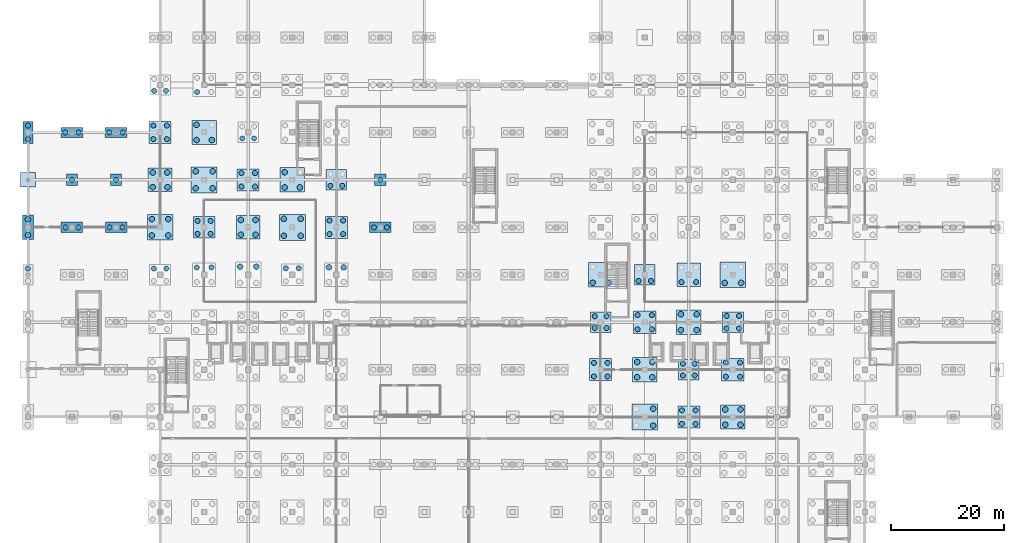
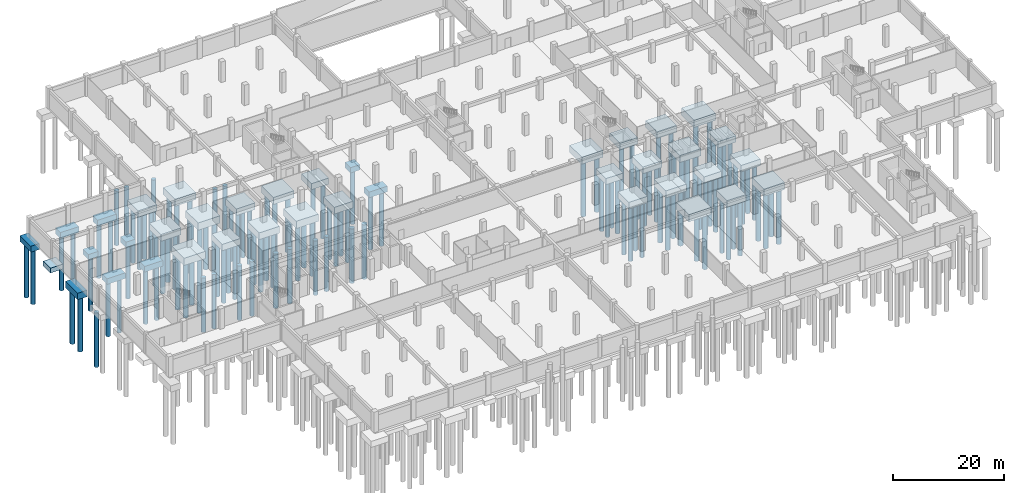
# One storey, part 4 of 30: 127 piles, 38 footings.
"""IFC4 building model written with IfcOpenShell, lengths in metres."""

from ifc_helpers import new_model, si_unit, direction, frame, origin, origin_2d, place, context, subcontext, project, spatial, rectangle, circle, extrude, material, layer, layer_set, material_profile, profile_set, type_object, element, save


model = new_model("IFC4")

# Units and contexts
model_context = context("Model", 3, precision=1e-05, world=origin(), true_north=direction((0.0, 1.0)))
body_context = subcontext(model_context, "Body", "Model", "MODEL_VIEW")
ifc_project = project(units=[si_unit("LENGTHUNIT", "METRE"), si_unit("AREAUNIT", "SQUARE_METRE"), si_unit("VOLUMEUNIT", "CUBIC_METRE"), si_unit("PLANEANGLEUNIT", "RADIAN"), si_unit("MASSUNIT", "GRAM", prefix="KILO"), si_unit("THERMODYNAMICTEMPERATUREUNIT", "KELVIN"), si_unit("POWERUNIT", "WATT")], contexts=[model_context])

# Site, building, storey
site_placement = place(None, origin())
site = spatial("IfcSite", under=ifc_project, at=site_placement, CompositionType="ELEMENT")
building_placement = place(site_placement, origin())
building = spatial("IfcBuilding", under=site, at=building_placement, Name="Srebrne Nadtorze General Hospital", CompositionType="ELEMENT")
storey_placement = place(building_placement, frame((0.0, 0.0, -4.5)))
storey = spatial("IfcBuildingStorey", under=building, at=storey_placement, Name="B1", CompositionType="ELEMENT", Elevation=-4.5)

# Piles
ifc_material_1 = material(Name="Concrete C35/45", Category="concrete")
ifc_material_profile_1 = material_profile(ifc_material_1, circle(Radius=0.5, at=origin_2d()), Name="PILE-D1000")
ifc_profile_set_1 = profile_set([ifc_material_profile_1], Name="Concrete C35/45")
pile_type_1 = type_object("IfcPileType", Name="Bored concrete pile D1000", PredefinedType="BORED", material=ifc_profile_set_1)
for number, where, z_axis, x_axis, name in (
    (1, (0.0, 65.800048828125, -2.0), (0.0, 0.0, -1.0), (1.0, 0.0, 0.0), "Bored pile PL-B1-0007"),
    (2, (0.0, 68.60009765625, -2.0), (0.0, 0.0, -1.0), (1.0, 0.0, 0.0), "Bored pile PL-B1-0008"),
    (3, (21.949951171875, 65.75, -2.199951171875), (0.0, 0.0, -1.0), (1.0, 0.0, 0.0), "Bored pile PL-B1-0067"),
    (4, (24.85009765625, 65.75, -2.199951171875), (0.0, 0.0, -1.0), (1.0, 0.0, 0.0), "Bored pile PL-B1-0068"),
    (5, (24.85009765625, 68.64990234375, -2.199951171875), (0.0, 0.0, -1.0), (1.0, 0.0, 0.0), "Bored pile PL-B1-0069"),
    (6, (21.949951171875, 68.64990234375, -2.199951171875), (0.0, 0.0, -1.0), (1.0, 0.0, 0.0), "Bored pile PL-B1-0070"),
    (7, (22.10009765625, 74.300048828125, -2.10009765625), (0.0, 0.0, -1.0), (1.0, 0.0, 0.0), "Bored pile PL-B1-0071"),
    (8, (24.699951171875, 74.300048828125, -2.10009765625), (0.0, 0.0, -1.0), (1.0, 0.0, 0.0), "Bored pile PL-B1-0072"),
    (9, (24.699951171875, 76.89990234375, -2.10009765625), (0.0, 0.0, -1.0), (1.0, 0.0, 0.0), "Bored pile PL-B1-0073"),
    (10, (22.10009765625, 76.89990234375, -2.10009765625), (0.0, 0.0, -1.0), (1.0, 0.0, 0.0), "Bored pile PL-B1-0074"),
    (11, (29.699951171875, 74.10009765625, -2.199951171875), (0.0, 0.0, -1.0), (1.0, 0.0, 0.0), "Bored pile PL-B1-0123"),
    (12, (32.699951171875, 74.10009765625, -2.199951171875), (0.0, 0.0, -1.0), (1.0, 0.0, 0.0), "Bored pile PL-B1-0124"),
    (13, (32.699951171875, 77.10009765625, -2.199951171875), (0.0, 0.0, -1.0), (1.0, 0.0, 0.0), "Bored pile PL-B1-0125"),
    (14, (29.699951171875, 77.10009765625, -2.199951171875), (0.0, 0.0, -1.0), (1.0, 0.0, 0.0), "Bored pile PL-B1-0126"),
    (15, (29.85009765625, 82.64990234375, -2.14990234375), (0.0, 0.0, -1.0), (1.0, 0.0, 0.0), "Bored pile PL-B1-0127"),
    (16, (32.550048828125, 82.64990234375, -2.14990234375), (0.0, 0.0, -1.0), (1.0, 0.0, 0.0), "Bored pile PL-B1-0128"),
    (17, (29.85009765625, 85.35009765625, -2.14990234375), (0.0, 0.0, -1.0), (1.0, 0.0, 0.0), "Bored pile PL-B1-0130"),
    (18, (40.449951171875, 60.25, -2.199951171875), (0.0, 0.0, -1.0), (1.0, 0.0, 0.0), "Bored pile PL-B1-0171"),
    (19, (37.550048828125, 60.25, -2.199951171875), (0.0, 0.0, -1.0), (1.0, 0.0, 0.0), "Bored pile PL-B1-0172"),
    (20, (37.699951171875, 65.89990234375, -2.10009765625), (0.0, 0.0, -1.0), (1.0, 0.0, 0.0), "Bored pile PL-B1-0173"),
    (21, (40.300048828125, 65.89990234375, -2.10009765625), (0.0, 0.0, -1.0), (1.0, 0.0, 0.0), "Bored pile PL-B1-0174"),
    (22, (40.300048828125, 68.5, -2.10009765625), (0.0, 0.0, -1.0), (1.0, 0.0, 0.0), "Bored pile PL-B1-0175"),
    (23, (37.699951171875, 68.5, -2.10009765625), (0.0, 0.0, -1.0), (1.0, 0.0, 0.0), "Bored pile PL-B1-0176"),
    (24, (45.300048828125, 65.699951171875, -2.199951171875), (0.0, 0.0, -1.0), (1.0, 0.0, 0.0), "Bored pile PL-B1-0223"),
    (25, (48.300048828125, 65.699951171875, -2.199951171875), (0.0, 0.0, -1.0), (1.0, 0.0, 0.0), "Bored pile PL-B1-0224"),
    (26, (48.300048828125, 68.699951171875, -2.199951171875), (0.0, 0.0, -1.0), (1.0, 0.0, 0.0), "Bored pile PL-B1-0225"),
    (27, (45.300048828125, 68.699951171875, -2.199951171875), (0.0, 0.0, -1.0), (1.0, 0.0, 0.0), "Bored pile PL-B1-0226"),
    (28, (45.449951171875, 74.25, -2.14990234375), (0.0, 0.0, -1.0), (1.0, 0.0, 0.0), "Bored pile PL-B1-0227"),
    (29, (48.14990234375, 74.25, -2.14990234375), (0.0, 0.0, -1.0), (1.0, 0.0, 0.0), "Bored pile PL-B1-0228"),
    (30, (45.449951171875, 76.949951171875, -2.14990234375), (0.0, 0.0, -1.0), (1.0, 0.0, 0.0), "Bored pile PL-B1-0230"),
    (31, (55.89990234375, 60.10009765625, -2.10009765625), (0.0, 0.0, -1.0), (1.0, 0.0, 0.0), "Bored pile PL-B1-0275"),
    (32, (53.300048828125, 60.10009765625, -2.10009765625), (0.0, 0.0, -1.0), (1.0, 0.0, 0.0), "Bored pile PL-B1-0276"),
    (33, (100.0, 57.39990234375, -2.14990234375), (0.0, 0.0, -1.0), (1.0, 0.0, 0.0), "Bored pile PL-B1-0440"),
    (34, (102.800048828125, 57.39990234375, -2.14990234375), (0.0, 0.0, -1.0), (1.0, 0.0, 0.0), "Bored pile PL-B1-0441"),
    (35, (110.699951171875, 32.10009765625, -2.199951171875), (0.0, 0.0, -1.0), (1.0, 0.0, 0.0), "Bored pile PL-B1-0481"),
    (36, (110.699951171875, 35.10009765625, -2.199951171875), (0.0, 0.0, -1.0), (1.0, 0.0, 0.0), "Bored pile PL-B1-0482"),
    (37, (107.85009765625, 40.64990234375, -2.14990234375), (0.0, 0.0, -1.0), (1.0, 0.0, 0.0), "Bored pile PL-B1-0484"),
    (38, (110.550048828125, 40.64990234375, -2.14990234375), (0.0, 0.0, -1.0), (1.0, 0.0, 0.0), "Bored pile PL-B1-0485"),
    (39, (110.550048828125, 43.35009765625, -2.14990234375), (0.0, 0.0, -1.0), (1.0, 0.0, 0.0), "Bored pile PL-B1-0486"),
    (40, (107.85009765625, 43.35009765625, -2.14990234375), (0.0, 0.0, -1.0), (1.0, 0.0, 0.0), "Bored pile PL-B1-0487"),
    (41, (115.60009765625, 49.0, -2.14990234375), (0.0, 0.0, -1.0), (1.0, 0.0, 0.0), "Bored pile PL-B1-0538"),
    (42, (118.39990234375, 49.0, -2.14990234375), (0.0, 0.0, -1.0), (1.0, 0.0, 0.0), "Bored pile PL-B1-0539"),
    (43, (118.39990234375, 51.800048828125, -2.14990234375), (0.0, 0.0, -1.0), (1.0, 0.0, 0.0), "Bored pile PL-B1-0540"),
    (44, (115.60009765625, 51.800048828125, -2.14990234375), (0.0, 0.0, -1.0), (1.0, 0.0, 0.0), "Bored pile PL-B1-0541"),
    (45, (123.449951171875, 32.25, -2.14990234375), (0.0, 0.0, -1.0), (1.0, 0.0, 0.0), "Bored pile PL-B1-0574"),
    (46, (126.14990234375, 32.25, -2.14990234375), (0.0, 0.0, -1.0), (1.0, 0.0, 0.0), "Bored pile PL-B1-0575"),
    (47, (126.14990234375, 34.949951171875, -2.14990234375), (0.0, 0.0, -1.0), (1.0, 0.0, 0.0), "Bored pile PL-B1-0576"),
    (48, (123.449951171875, 34.949951171875, -2.14990234375), (0.0, 0.0, -1.0), (1.0, 0.0, 0.0), "Bored pile PL-B1-0577"),
    (49, (123.35009765625, 57.35009765625, -2.199951171875), (0.0, 0.0, -1.0), (1.0, 0.0, 0.0), "Bored pile PL-B1-0586"),
    (50, (126.25, 57.35009765625, -2.199951171875), (0.0, 0.0, -1.0), (1.0, 0.0, 0.0), "Bored pile PL-B1-0587"),
):
    element("IfcPile", number, at=place(storey_placement, frame(where, z_axis=z_axis, x_axis=x_axis)), inside=storey, type_object=pile_type_1, Name=name, PredefinedType="BORED", context=body_context, shape_type="SweptSolid", body=[
        extrude(circle(Radius=0.5, at=origin_2d()), origin(), (0.0, 0.0, 1.0), 12.0),
    ])
ifc_material_2 = material(Name="Concrete C35/45", Category="concrete")
ifc_material_profile_2 = material_profile(ifc_material_2, circle(Radius=0.449951171875, at=origin_2d()), Name="PILE-D900")
ifc_profile_set_2 = profile_set([ifc_material_profile_2], Name="Concrete C35/45")
pile_type_2 = type_object("IfcPileType", Name="Bored concrete pile D900", PredefinedType="BORED", material=ifc_profile_set_2)
for number, where, z_axis, x_axis, name in (
    (51, (0.0, 59.89990234375, -1.85009765625), (0.0, 0.0, -1.0), (1.0, 0.0, 0.0), "Bored pile PL-B1-0006"),
    (52, (0.0, 82.800048828125, -1.89990234375), (0.0, 0.0, -1.0), (1.0, 0.0, 0.0), "Bored pile PL-B1-0009"),
    (53, (0.0, 85.199951171875, -1.89990234375), (0.0, 0.0, -1.0), (1.0, 0.0, 0.0), "Bored pile PL-B1-0010"),
    (54, (6.64990234375, 67.199951171875, -1.85009765625), (0.0, 0.0, -1.0), (1.0, 0.0, 0.0), "Bored pile PL-B1-0018"),
    (55, (8.949951171875, 67.199951171875, -1.85009765625), (0.0, 0.0, -1.0), (1.0, 0.0, 0.0), "Bored pile PL-B1-0019"),
    (56, (7.800048828125, 75.60009765625, -1.75), (0.0, 0.0, -1.0), (1.0, 0.0, 0.0), "Bored pile PL-B1-0020"),
    (57, (6.60009765625, 84.0, -1.89990234375), (0.0, 0.0, -1.0), (1.0, 0.0, 0.0), "Bored pile PL-B1-0021"),
    (58, (9.0, 84.0, -1.89990234375), (0.0, 0.0, -1.0), (1.0, 0.0, 0.0), "Bored pile PL-B1-0022"),
    (59, (14.449951171875, 67.199951171875, -1.85009765625), (0.0, 0.0, -1.0), (1.0, 0.0, 0.0), "Bored pile PL-B1-0030"),
    (60, (16.75, 67.199951171875, -1.85009765625), (0.0, 0.0, -1.0), (1.0, 0.0, 0.0), "Bored pile PL-B1-0031"),
    (61, (15.60009765625, 75.60009765625, -1.75), (0.0, 0.0, -1.0), (1.0, 0.0, 0.0), "Bored pile PL-B1-0032"),
    (62, (14.39990234375, 84.0, -1.89990234375), (0.0, 0.0, -1.0), (1.0, 0.0, 0.0), "Bored pile PL-B1-0033"),
    (63, (16.800048828125, 84.0, -1.89990234375), (0.0, 0.0, -1.0), (1.0, 0.0, 0.0), "Bored pile PL-B1-0034"),
    (64, (24.5, 59.89990234375, -2.0), (0.0, 0.0, -1.0), (1.0, 0.0, 0.0), "Bored pile PL-B1-0065"),
    (65, (22.300048828125, 59.89990234375, -2.0), (0.0, 0.0, -1.0), (1.0, 0.0, 0.0), "Bored pile PL-B1-0066"),
    (66, (22.199951171875, 82.800048828125, -2.050048828125), (0.0, 0.0, -1.0), (1.0, 0.0, 0.0), "Bored pile PL-B1-0075"),
    (67, (24.60009765625, 82.800048828125, -2.050048828125), (0.0, 0.0, -1.0), (1.0, 0.0, 0.0), "Bored pile PL-B1-0076"),
    (68, (24.60009765625, 85.199951171875, -2.050048828125), (0.0, 0.0, -1.0), (1.0, 0.0, 0.0), "Bored pile PL-B1-0077"),
    (69, (22.199951171875, 85.199951171875, -2.050048828125), (0.0, 0.0, -1.0), (1.0, 0.0, 0.0), "Bored pile PL-B1-0078"),
    (70, (22.35009765625, 91.35009765625, -1.949951171875), (0.0, 0.0, -1.0), (1.0, 0.0, 0.0), "Bored pile PL-B1-0079"),
    (71, (24.449951171875, 91.35009765625, -1.949951171875), (0.0, 0.0, -1.0), (1.0, 0.0, 0.0), "Bored pile PL-B1-0080"),
    (72, (32.5, 60.10009765625, -2.10009765625), (0.0, 0.0, -1.0), (1.0, 0.0, 0.0), "Bored pile PL-B1-0117"),
    (73, (29.89990234375, 60.10009765625, -2.10009765625), (0.0, 0.0, -1.0), (1.0, 0.0, 0.0), "Bored pile PL-B1-0118"),
    (74, (30.050048828125, 66.050048828125, -2.0), (0.0, 0.0, -1.0), (1.0, 0.0, 0.0), "Bored pile PL-B1-0119"),
    (75, (32.35009765625, 66.050048828125, -2.0), (0.0, 0.0, -1.0), (1.0, 0.0, 0.0), "Bored pile PL-B1-0120"),
    (76, (32.35009765625, 68.35009765625, -2.0), (0.0, 0.0, -1.0), (1.0, 0.0, 0.0), "Bored pile PL-B1-0121"),
    (77, (30.050048828125, 68.35009765625, -2.0), (0.0, 0.0, -1.0), (1.0, 0.0, 0.0), "Bored pile PL-B1-0122"),
    (78, (29.949951171875, 91.14990234375, -2.050048828125), (0.0, 0.0, -1.0), (1.0, 0.0, 0.0), "Bored pile PL-B1-0131"),
    (79, (37.800048828125, 74.39990234375, -2.050048828125), (0.0, 0.0, -1.0), (1.0, 0.0, 0.0), "Bored pile PL-B1-0177"),
    (80, (40.199951171875, 74.39990234375, -2.050048828125), (0.0, 0.0, -1.0), (1.0, 0.0, 0.0), "Bored pile PL-B1-0178"),
    (81, (40.199951171875, 76.800048828125, -2.050048828125), (0.0, 0.0, -1.0), (1.0, 0.0, 0.0), "Bored pile PL-B1-0179"),
    (82, (37.800048828125, 76.800048828125, -2.050048828125), (0.0, 0.0, -1.0), (1.0, 0.0, 0.0), "Bored pile PL-B1-0180"),
    (83, (37.949951171875, 82.949951171875, -1.949951171875), (0.0, 0.0, -1.0), (1.0, 0.0, 0.0), "Bored pile PL-B1-0181"),
    (84, (40.050048828125, 82.949951171875, -1.949951171875), (0.0, 0.0, -1.0), (1.0, 0.0, 0.0), "Bored pile PL-B1-0182"),
    (85, (47.949951171875, 59.949951171875, -2.0), (0.0, 0.0, -1.0), (1.0, 0.0, 0.0), "Bored pile PL-B1-0221"),
    (86, (45.64990234375, 59.949951171875, -2.0), (0.0, 0.0, -1.0), (1.0, 0.0, 0.0), "Bored pile PL-B1-0222"),
    (87, (53.39990234375, 66.0, -2.050048828125), (0.0, 0.0, -1.0), (1.0, 0.0, 0.0), "Bored pile PL-B1-0277"),
    (88, (55.800048828125, 66.0, -2.050048828125), (0.0, 0.0, -1.0), (1.0, 0.0, 0.0), "Bored pile PL-B1-0278"),
    (89, (55.800048828125, 68.39990234375, -2.050048828125), (0.0, 0.0, -1.0), (1.0, 0.0, 0.0), "Bored pile PL-B1-0279"),
    (90, (53.39990234375, 68.39990234375, -2.050048828125), (0.0, 0.0, -1.0), (1.0, 0.0, 0.0), "Bored pile PL-B1-0280"),
    (91, (53.550048828125, 74.550048828125, -1.949951171875), (0.0, 0.0, -1.0), (1.0, 0.0, 0.0), "Bored pile PL-B1-0281"),
    (92, (55.64990234375, 74.550048828125, -1.949951171875), (0.0, 0.0, -1.0), (1.0, 0.0, 0.0), "Bored pile PL-B1-0282"),
    (93, (61.25, 67.199951171875, -1.85009765625), (0.0, 0.0, -1.0), (1.0, 0.0, 0.0), "Bored pile PL-B1-0313"),
    (94, (63.550048828125, 67.199951171875, -1.85009765625), (0.0, 0.0, -1.0), (1.0, 0.0, 0.0), "Bored pile PL-B1-0314"),
    (95, (62.39990234375, 75.60009765625, -1.75), (0.0, 0.0, -1.0), (1.0, 0.0, 0.0), "Bored pile PL-B1-0315"),
    (96, (100.199951171875, 40.800048828125, -2.050048828125), (0.0, 0.0, -1.0), (1.0, 0.0, 0.0), "Bored pile PL-B1-0432"),
    (97, (102.60009765625, 40.800048828125, -2.050048828125), (0.0, 0.0, -1.0), (1.0, 0.0, 0.0), "Bored pile PL-B1-0433"),
    (98, (102.60009765625, 43.199951171875, -2.050048828125), (0.0, 0.0, -1.0), (1.0, 0.0, 0.0), "Bored pile PL-B1-0434"),
    (99, (100.199951171875, 43.199951171875, -2.050048828125), (0.0, 0.0, -1.0), (1.0, 0.0, 0.0), "Bored pile PL-B1-0435"),
    (100, (100.35009765625, 49.35009765625, -1.949951171875), (0.0, 0.0, -1.0), (1.0, 0.0, 0.0), "Bored pile PL-B1-0436"),
    (101, (102.449951171875, 49.35009765625, -1.949951171875), (0.0, 0.0, -1.0), (1.0, 0.0, 0.0), "Bored pile PL-B1-0437"),
    (102, (102.449951171875, 51.449951171875, -1.949951171875), (0.0, 0.0, -1.0), (1.0, 0.0, 0.0), "Bored pile PL-B1-0438"),
    (103, (100.35009765625, 51.449951171875, -1.949951171875), (0.0, 0.0, -1.0), (1.0, 0.0, 0.0), "Bored pile PL-B1-0439"),
    (104, (107.949951171875, 49.14990234375, -2.050048828125), (0.0, 0.0, -1.0), (1.0, 0.0, 0.0), "Bored pile PL-B1-0488"),
    (105, (110.449951171875, 49.14990234375, -2.050048828125), (0.0, 0.0, -1.0), (1.0, 0.0, 0.0), "Bored pile PL-B1-0489"),
    (106, (110.449951171875, 51.64990234375, -2.050048828125), (0.0, 0.0, -1.0), (1.0, 0.0, 0.0), "Bored pile PL-B1-0490"),
    (107, (107.949951171875, 51.64990234375, -2.050048828125), (0.0, 0.0, -1.0), (1.0, 0.0, 0.0), "Bored pile PL-B1-0491"),
    (108, (108.10009765625, 57.699951171875, -2.0), (0.0, 0.0, -1.0), (1.0, 0.0, 0.0), "Bored pile PL-B1-0492"),
    (109, (110.300048828125, 57.699951171875, -2.0), (0.0, 0.0, -1.0), (1.0, 0.0, 0.0), "Bored pile PL-B1-0493"),
    (110, (115.800048828125, 32.39990234375, -2.050048828125), (0.0, 0.0, -1.0), (1.0, 0.0, 0.0), "Bored pile PL-B1-0530"),
    (111, (118.199951171875, 32.39990234375, -2.050048828125), (0.0, 0.0, -1.0), (1.0, 0.0, 0.0), "Bored pile PL-B1-0531"),
    (112, (118.199951171875, 34.800048828125, -2.050048828125), (0.0, 0.0, -1.0), (1.0, 0.0, 0.0), "Bored pile PL-B1-0532"),
    (113, (115.800048828125, 34.800048828125, -2.050048828125), (0.0, 0.0, -1.0), (1.0, 0.0, 0.0), "Bored pile PL-B1-0533"),
    (114, (115.949951171875, 40.949951171875, -1.949951171875), (0.0, 0.0, -1.0), (1.0, 0.0, 0.0), "Bored pile PL-B1-0534"),
    (115, (118.050048828125, 40.949951171875, -1.949951171875), (0.0, 0.0, -1.0), (1.0, 0.0, 0.0), "Bored pile PL-B1-0535"),
    (116, (118.050048828125, 43.050048828125, -1.949951171875), (0.0, 0.0, -1.0), (1.0, 0.0, 0.0), "Bored pile PL-B1-0536"),
    (117, (115.949951171875, 43.050048828125, -1.949951171875), (0.0, 0.0, -1.0), (1.0, 0.0, 0.0), "Bored pile PL-B1-0537"),
    (118, (115.699951171875, 57.5, -2.10009765625), (0.0, 0.0, -1.0), (1.0, 0.0, 0.0), "Bored pile PL-B1-0542"),
    (119, (118.300048828125, 57.5, -2.10009765625), (0.0, 0.0, -1.0), (1.0, 0.0, 0.0), "Bored pile PL-B1-0543"),
    (120, (123.550048828125, 40.75, -2.050048828125), (0.0, 0.0, -1.0), (1.0, 0.0, 0.0), "Bored pile PL-B1-0578"),
    (121, (126.050048828125, 40.75, -2.050048828125), (0.0, 0.0, -1.0), (1.0, 0.0, 0.0), "Bored pile PL-B1-0579"),
    (122, (126.050048828125, 43.25, -2.050048828125), (0.0, 0.0, -1.0), (1.0, 0.0, 0.0), "Bored pile PL-B1-0580"),
    (123, (123.550048828125, 43.25, -2.050048828125), (0.0, 0.0, -1.0), (1.0, 0.0, 0.0), "Bored pile PL-B1-0581"),
    (124, (123.699951171875, 49.300048828125, -2.0), (0.0, 0.0, -1.0), (1.0, 0.0, 0.0), "Bored pile PL-B1-0582"),
    (125, (125.89990234375, 49.300048828125, -2.0), (0.0, 0.0, -1.0), (1.0, 0.0, 0.0), "Bored pile PL-B1-0583"),
    (126, (125.89990234375, 51.5, -2.0), (0.0, 0.0, -1.0), (1.0, 0.0, 0.0), "Bored pile PL-B1-0584"),
    (127, (123.699951171875, 51.5, -2.0), (0.0, 0.0, -1.0), (1.0, 0.0, 0.0), "Bored pile PL-B1-0585"),
):
    element("IfcPile", number, at=place(storey_placement, frame(where, z_axis=z_axis, x_axis=x_axis)), inside=storey, type_object=pile_type_2, Name=name, PredefinedType="BORED", context=body_context, shape_type="SweptSolid", body=[
        extrude(circle(Radius=0.449951171875, at=origin_2d()), origin(), (0.0, 0.0, 1.0), 12.0),
    ])

# Footings
ifc_material_3 = material(Name="Concrete C35/45", Category="concrete")
ifc_layer_1 = layer(ifc_material_3, 1.300048828125)
ifc_layer_set_1 = layer_set([ifc_layer_1], Name="Concrete C35/45")
footing_type_1 = type_object("IfcFootingType", Name="Bored pile cap 1800x3900x1300", PredefinedType="PILE_CAP", material=ifc_layer_set_1)
footing_1_placement = place(storey_placement, frame((0.0, 84.0, -1.89990234375), z_axis=(0.0, 0.0, 1.0), x_axis=(1.0, 0.0, 0.0)))
element("IfcFooting", 128, at=footing_1_placement, inside=storey, type_object=footing_type_1, Name="Pile cap FT-B1-1-L", PredefinedType="PILE_CAP", context=body_context, shape_type="SweptSolid", body=[
    extrude(rectangle(XDim=1.800048828125, YDim=3.89990234375, at=origin_2d()), origin(), (0.0, 0.0, 1.0), 1.300048828125),
])
ifc_material_4 = material(Name="Concrete C35/45", Category="concrete")
ifc_layer_2 = layer(ifc_material_4, 1.14990234375)
ifc_layer_set_2 = layer_set([ifc_layer_2], Name="Concrete C35/45")
footing_type_2 = type_object("IfcFootingType", Name="Bored pile cap 2000x2000x1150", PredefinedType="PILE_CAP", material=ifc_layer_set_2)
for number, where, z_axis, x_axis, name in (
    (129, (7.800048828125, 75.60009765625, -1.75), (0.0, 0.0, 1.0), (1.0, 0.0, 0.0), "Pile cap FT-B1-2-K"),
    (130, (15.60009765625, 75.60009765625, -1.75), (0.0, 0.0, 1.0), (1.0, 0.0, 0.0), "Pile cap FT-B1-3-K"),
    (131, (62.39990234375, 75.60009765625, -1.75), (0.0, 0.0, 1.0), (1.0, 0.0, 0.0), "Pile cap FT-B1-9-K"),
):
    element("IfcFooting", number, at=place(storey_placement, frame(where, z_axis=z_axis, x_axis=x_axis)), inside=storey, type_object=footing_type_2, Name=name, PredefinedType="PILE_CAP", context=body_context, shape_type="SweptSolid", body=[
        extrude(rectangle(XDim=2.0, YDim=2.0, at=origin_2d()), origin(), (0.0, 0.0, 1.0), 1.14990234375),
    ])
ifc_material_5 = material(Name="Concrete C35/45", Category="concrete")
ifc_layer_3 = layer(ifc_material_5, 1.39990234375)
ifc_layer_set_3 = layer_set([ifc_layer_3], Name="Concrete C35/45")
footing_type_3 = type_object("IfcFootingType", Name="Bored pile cap 2000x4400x1400", PredefinedType="PILE_CAP", material=ifc_layer_set_3)
footing_2_placement = place(storey_placement, frame((0.0, 67.199951171875, -2.0), z_axis=(0.0, 0.0, 1.0), x_axis=(1.0, 0.0, 0.0)))
element("IfcFooting", 132, at=footing_2_placement, inside=storey, type_object=footing_type_3, Name="Pile cap FT-B1-1-J", PredefinedType="PILE_CAP", context=body_context, shape_type="SweptSolid", body=[
    extrude(rectangle(XDim=2.0, YDim=4.39990234375, at=origin_2d()), origin(), (0.0, 0.0, 1.0), 1.39990234375),
])
ifc_material_6 = material(Name="Concrete C35/45", Category="concrete")
ifc_layer_4 = layer(ifc_material_6, 1.35009765625)
ifc_layer_set_4 = layer_set([ifc_layer_4], Name="Concrete C35/45")
footing_type_4 = type_object("IfcFootingType", Name="Bored pile cap 3600x3600x1350", PredefinedType="PILE_CAP", material=ifc_layer_set_4)
for number, where, z_axis, x_axis, name in (
    (133, (54.60009765625, 75.60009765625, -1.949951171875), (0.0, 0.0, 1.0), (1.0, 0.0, 0.0), "Pile cap FT-B1-8-K"),
    (134, (101.39990234375, 50.39990234375, -1.949951171875), (0.0, 0.0, 1.0), (1.0, 0.0, 0.0), "Pile cap FT-B1-14-G"),
    (135, (117.0, 42.0, -1.949951171875), (0.0, 0.0, 1.0), (1.0, 0.0, 0.0), "Pile cap FT-B1-16-F"),
):
    element("IfcFooting", number, at=place(storey_placement, frame(where, z_axis=z_axis, x_axis=x_axis)), inside=storey, type_object=footing_type_4, Name=name, PredefinedType="PILE_CAP", context=body_context, shape_type="SweptSolid", body=[
        extrude(rectangle(XDim=3.60009765625, YDim=3.60009765625, at=origin_2d()), origin(), (0.0, 0.0, 1.0), 1.35009765625),
    ])
ifc_material_7 = material(Name="Concrete C35/45", Category="concrete")
ifc_layer_5 = layer(ifc_material_7, 1.39990234375)
ifc_layer_set_5 = layer_set([ifc_layer_5], Name="Concrete C35/45")
footing_type_5 = type_object("IfcFootingType", Name="Bored pile cap 3700x3700x1400", PredefinedType="PILE_CAP", material=ifc_layer_set_5)
for number, where, z_axis, x_axis, name in (
    (136, (109.199951171875, 58.800048828125, -2.0), (0.0, 0.0, 1.0), (1.0, 0.0, 0.0), "Pile cap FT-B1-15-H"),
    (137, (124.800048828125, 50.39990234375, -2.0), (0.0, 0.0, 1.0), (1.0, 0.0, 0.0), "Pile cap FT-B1-17-G"),
):
    element("IfcFooting", number, at=place(storey_placement, frame(where, z_axis=z_axis, x_axis=x_axis)), inside=storey, type_object=footing_type_5, Name=name, PredefinedType="PILE_CAP", context=body_context, shape_type="SweptSolid", body=[
        extrude(rectangle(XDim=3.699951171875, YDim=3.699951171875, at=origin_2d()), origin(), (0.0, 0.0, 1.0), 1.39990234375),
    ])
ifc_material_8 = material(Name="Concrete C35/45", Category="concrete")
ifc_layer_6 = layer(ifc_material_8, 1.25)
ifc_layer_set_6 = layer_set([ifc_layer_6], Name="Concrete C35/45")
footing_type_6 = type_object("IfcFootingType", Name="Bored pile cap 3800x1800x1250", PredefinedType="PILE_CAP", material=ifc_layer_set_6)
for number, where, z_axis, x_axis, name in (
    (138, (7.800048828125, 67.199951171875, -1.85009765625), (0.0, 0.0, 1.0), (1.0, 0.0, 0.0), "Pile cap FT-B1-2-J"),
    (139, (15.60009765625, 67.199951171875, -1.85009765625), (0.0, 0.0, 1.0), (1.0, 0.0, 0.0), "Pile cap FT-B1-3-J"),
    (140, (62.39990234375, 67.199951171875, -1.85009765625), (0.0, 0.0, 1.0), (1.0, 0.0, 0.0), "Pile cap FT-B1-9-J"),
):
    element("IfcFooting", number, at=place(storey_placement, frame(where, z_axis=z_axis, x_axis=x_axis)), inside=storey, type_object=footing_type_6, Name=name, PredefinedType="PILE_CAP", context=body_context, shape_type="SweptSolid", body=[
        extrude(rectangle(XDim=3.800048828125, YDim=1.800048828125, at=origin_2d()), origin(), (0.0, 0.0, 1.0), 1.25),
    ])
ifc_material_9 = material(Name="Concrete C35/45", Category="concrete")
ifc_layer_7 = layer(ifc_material_9, 1.39990234375)
ifc_layer_set_7 = layer_set([ifc_layer_7], Name="Concrete C35/45")
footing_type_7 = type_object("IfcFootingType", Name="Bored pile cap 3800x3800x1400", PredefinedType="PILE_CAP", material=ifc_layer_set_7)
footing_3_placement = place(storey_placement, frame((31.199951171875, 67.199951171875, -2.0), z_axis=(0.0, 0.0, 1.0), x_axis=(1.0, 0.0, 0.0)))
element("IfcFooting", 141, at=footing_3_placement, inside=storey, type_object=footing_type_7, Name="Pile cap FT-B1-5-J", PredefinedType="PILE_CAP", context=body_context, shape_type="SweptSolid", body=[
    extrude(rectangle(XDim=3.800048828125, YDim=3.800048828125, at=origin_2d()), origin(), (0.0, 0.0, 1.0), 1.39990234375),
])
ifc_material_10 = material(Name="Concrete C35/45", Category="concrete")
ifc_layer_8 = layer(ifc_material_10, 1.300048828125)
ifc_layer_set_8 = layer_set([ifc_layer_8], Name="Concrete C35/45")
footing_type_8 = type_object("IfcFootingType", Name="Bored pile cap 3900x1800x1300", PredefinedType="PILE_CAP", material=ifc_layer_set_8)
for number, where, z_axis, x_axis, name in (
    (142, (7.800048828125, 84.0, -1.89990234375), (0.0, 0.0, 1.0), (1.0, 0.0, 0.0), "Pile cap FT-B1-2-L"),
    (143, (15.60009765625, 84.0, -1.89990234375), (0.0, 0.0, 1.0), (1.0, 0.0, 0.0), "Pile cap FT-B1-3-L"),
):
    element("IfcFooting", number, at=place(storey_placement, frame(where, z_axis=z_axis, x_axis=x_axis)), inside=storey, type_object=footing_type_8, Name=name, PredefinedType="PILE_CAP", context=body_context, shape_type="SweptSolid", body=[
        extrude(rectangle(XDim=3.89990234375, YDim=1.800048828125, at=origin_2d()), origin(), (0.0, 0.0, 1.0), 1.300048828125),
    ])
ifc_material_11 = material(Name="Concrete C35/45", Category="concrete")
ifc_layer_9 = layer(ifc_material_11, 1.449951171875)
ifc_layer_set_9 = layer_set([ifc_layer_9], Name="Concrete C35/45")
footing_type_9 = type_object("IfcFootingType", Name="Bored pile cap 3900x3900x1450", PredefinedType="PILE_CAP", material=ifc_layer_set_9)
for number, where, z_axis, x_axis, name in (
    (144, (23.39990234375, 84.0, -2.0498046875), (0.0, 0.0, 1.0), (1.0, 0.0, 0.0), "Pile cap FT-B1-4-L"),
    (145, (39.0, 75.60009765625, -2.0498046875), (0.0, 0.0, 1.0), (1.0, 0.0, 0.0), "Pile cap FT-B1-6-K"),
    (146, (54.60009765625, 67.199951171875, -2.0498046875), (0.0, 0.0, 1.0), (1.0, 0.0, 0.0), "Pile cap FT-B1-8-J"),
    (147, (101.39990234375, 42.0, -2.0498046875), (0.0, 0.0, 1.0), (1.0, 0.0, 0.0), "Pile cap FT-B1-14-F"),
    (148, (117.0, 33.60009765625, -2.0498046875), (0.0, 0.0, 1.0), (1.0, 0.0, 0.0), "Pile cap FT-B1-16-E"),
):
    element("IfcFooting", number, at=place(storey_placement, frame(where, z_axis=z_axis, x_axis=x_axis)), inside=storey, type_object=footing_type_9, Name=name, PredefinedType="PILE_CAP", context=body_context, shape_type="SweptSolid", body=[
        extrude(rectangle(XDim=3.89990234375, YDim=3.89990234375, at=origin_2d()), origin(), (0.0, 0.0, 1.0), 1.449951171875),
    ])
ifc_material_12 = material(Name="Concrete C35/45", Category="concrete")
ifc_layer_10 = layer(ifc_material_12, 1.449951171875)
ifc_layer_set_10 = layer_set([ifc_layer_10], Name="Concrete C35/45")
footing_type_10 = type_object("IfcFootingType", Name="Bored pile cap 4000x4000x1450", PredefinedType="PILE_CAP", material=ifc_layer_set_10)
for number, where, z_axis, x_axis, name in (
    (149, (109.199951171875, 50.39990234375, -2.0498046875), (0.0, 0.0, 1.0), (1.0, 0.0, 0.0), "Pile cap FT-B1-15-G"),
    (150, (124.800048828125, 42.0, -2.0498046875), (0.0, 0.0, 1.0), (1.0, 0.0, 0.0), "Pile cap FT-B1-17-F"),
):
    element("IfcFooting", number, at=place(storey_placement, frame(where, z_axis=z_axis, x_axis=x_axis)), inside=storey, type_object=footing_type_10, Name=name, PredefinedType="PILE_CAP", context=body_context, shape_type="SweptSolid", body=[
        extrude(rectangle(XDim=4.0, YDim=4.0, at=origin_2d()), origin(), (0.0, 0.0, 1.0), 1.449951171875),
    ])
ifc_material_13 = material(Name="Concrete C35/45", Category="concrete")
ifc_layer_11 = layer(ifc_material_13, 1.5)
ifc_layer_set_11 = layer_set([ifc_layer_11], Name="Concrete C35/45")
footing_type_11 = type_object("IfcFootingType", Name="Bored pile cap 4100x4100x1500", PredefinedType="PILE_CAP", material=ifc_layer_set_11)
footing_4_placement = place(storey_placement, frame((117.0, 58.800048828125, -2.10009765625), z_axis=(0.0, 0.0, 1.0), x_axis=(1.0, 0.0, 0.0)))
element("IfcFooting", 151, at=footing_4_placement, inside=storey, type_object=footing_type_11, Name="Pile cap FT-B1-16-H", PredefinedType="PILE_CAP", context=body_context, shape_type="SweptSolid", body=[
    extrude(rectangle(XDim=4.10009765625, YDim=4.10009765625, at=origin_2d()), origin(), (0.0, 0.0, 1.0), 1.5),
])
ifc_material_14 = material(Name="Concrete C35/45", Category="concrete")
ifc_layer_12 = layer(ifc_material_14, 1.5)
ifc_layer_set_12 = layer_set([ifc_layer_12], Name="Concrete C35/45")
footing_type_12 = type_object("IfcFootingType", Name="Bored pile cap 4200x4200x1500", PredefinedType="PILE_CAP", material=ifc_layer_set_12)
for number, where, z_axis, x_axis, name in (
    (152, (23.39990234375, 75.60009765625, -2.10009765625), (0.0, 0.0, 1.0), (1.0, 0.0, 0.0), "Pile cap FT-B1-4-K"),
    (153, (39.0, 67.199951171875, -2.10009765625), (0.0, 0.0, 1.0), (1.0, 0.0, 0.0), "Pile cap FT-B1-6-J"),
):
    element("IfcFooting", number, at=place(storey_placement, frame(where, z_axis=z_axis, x_axis=x_axis)), inside=storey, type_object=footing_type_12, Name=name, PredefinedType="PILE_CAP", context=body_context, shape_type="SweptSolid", body=[
        extrude(rectangle(XDim=4.199951171875, YDim=4.199951171875, at=origin_2d()), origin(), (0.0, 0.0, 1.0), 1.5),
    ])
ifc_material_15 = material(Name="Concrete C35/45", Category="concrete")
ifc_layer_13 = layer(ifc_material_15, 1.550048828125)
ifc_layer_set_13 = layer_set([ifc_layer_13], Name="Concrete C35/45")
footing_type_13 = type_object("IfcFootingType", Name="Bored pile cap 4300x4300x1550", PredefinedType="PILE_CAP", material=ifc_layer_set_13)
for number, where, z_axis, x_axis, name in (
    (154, (31.199951171875, 84.0, -2.14990234375), (0.0, 0.0, 1.0), (1.0, 0.0, 0.0), "Pile cap FT-B1-5-L"),
    (155, (46.800048828125, 75.60009765625, -2.14990234375), (0.0, 0.0, 1.0), (1.0, 0.0, 0.0), "Pile cap FT-B1-7-K"),
    (156, (109.199951171875, 42.0, -2.14990234375), (0.0, 0.0, 1.0), (1.0, 0.0, 0.0), "Pile cap FT-B1-15-F"),
    (157, (124.800048828125, 33.60009765625, -2.14990234375), (0.0, 0.0, 1.0), (1.0, 0.0, 0.0), "Pile cap FT-B1-17-E"),
):
    element("IfcFooting", number, at=place(storey_placement, frame(where, z_axis=z_axis, x_axis=x_axis)), inside=storey, type_object=footing_type_13, Name=name, PredefinedType="PILE_CAP", context=body_context, shape_type="SweptSolid", body=[
        extrude(rectangle(XDim=4.300048828125, YDim=4.300048828125, at=origin_2d()), origin(), (0.0, 0.0, 1.0), 1.550048828125),
    ])
ifc_material_16 = material(Name="Concrete C35/45", Category="concrete")
ifc_layer_14 = layer(ifc_material_16, 1.550048828125)
ifc_layer_set_14 = layer_set([ifc_layer_14], Name="Concrete C35/45")
footing_type_14 = type_object("IfcFootingType", Name="Bored pile cap 4400x4400x1550", PredefinedType="PILE_CAP", material=ifc_layer_set_14)
for number, where, z_axis, x_axis, name in (
    (158, (101.39990234375, 58.800048828125, -2.14990234375), (0.0, 0.0, 1.0), (1.0, 0.0, 0.0), "Pile cap FT-B1-14-H"),
    (159, (117.0, 50.39990234375, -2.14990234375), (0.0, 0.0, 1.0), (1.0, 0.0, 0.0), "Pile cap FT-B1-16-G"),
):
    element("IfcFooting", number, at=place(storey_placement, frame(where, z_axis=z_axis, x_axis=x_axis)), inside=storey, type_object=footing_type_14, Name=name, PredefinedType="PILE_CAP", context=body_context, shape_type="SweptSolid", body=[
        extrude(rectangle(XDim=4.39990234375, YDim=4.39990234375, at=origin_2d()), origin(), (0.0, 0.0, 1.0), 1.550048828125),
    ])
ifc_material_17 = material(Name="Concrete C35/45", Category="concrete")
ifc_layer_15 = layer(ifc_material_17, 1.60009765625)
ifc_layer_set_15 = layer_set([ifc_layer_15], Name="Concrete C35/45")
footing_type_15 = type_object("IfcFootingType", Name="Bored pile cap 4500x4500x1600", PredefinedType="PILE_CAP", material=ifc_layer_set_15)
for number, where, z_axis, x_axis, name in (
    (160, (23.39990234375, 67.199951171875, -2.199951171875), (0.0, 0.0, 1.0), (1.0, 0.0, 0.0), "Pile cap FT-B1-4-J"),
    (161, (124.800048828125, 58.800048828125, -2.199951171875), (0.0, 0.0, 1.0), (1.0, 0.0, 0.0), "Pile cap FT-B1-17-H"),
):
    element("IfcFooting", number, at=place(storey_placement, frame(where, z_axis=z_axis, x_axis=x_axis)), inside=storey, type_object=footing_type_15, Name=name, PredefinedType="PILE_CAP", context=body_context, shape_type="SweptSolid", body=[
        extrude(rectangle(XDim=4.5, YDim=4.5, at=origin_2d()), origin(), (0.0, 0.0, 1.0), 1.60009765625),
    ])
ifc_material_18 = material(Name="Concrete C35/45", Category="concrete")
ifc_layer_16 = layer(ifc_material_18, 1.60009765625)
ifc_layer_set_16 = layer_set([ifc_layer_16], Name="Concrete C35/45")
footing_type_16 = type_object("IfcFootingType", Name="Bored pile cap 4600x4600x1600", PredefinedType="PILE_CAP", material=ifc_layer_set_16)
for number, where, z_axis, x_axis, name in (
    (162, (31.199951171875, 75.60009765625, -2.199951171875), (0.0, 0.0, 1.0), (1.0, 0.0, 0.0), "Pile cap FT-B1-5-K"),
    (163, (46.800048828125, 67.199951171875, -2.199951171875), (0.0, 0.0, 1.0), (1.0, 0.0, 0.0), "Pile cap FT-B1-7-J"),
    (164, (109.199951171875, 33.60009765625, -2.199951171875), (0.0, 0.0, 1.0), (1.0, 0.0, 0.0), "Pile cap FT-B1-15-E"),
):
    element("IfcFooting", number, at=place(storey_placement, frame(where, z_axis=z_axis, x_axis=x_axis)), inside=storey, type_object=footing_type_16, Name=name, PredefinedType="PILE_CAP", context=body_context, shape_type="SweptSolid", body=[
        extrude(rectangle(XDim=4.60009765625, YDim=4.60009765625, at=origin_2d()), origin(), (0.0, 0.0, 1.0), 1.60009765625),
    ])
ifc_material_19 = material(Name="Concrete C35/45", Category="concrete")
ifc_layer_17 = layer(ifc_material_19, 1.050048828125)
ifc_layer_set_17 = layer_set([ifc_layer_17], Name="Concrete C35/45")
footing_type_17 = type_object("IfcFootingType", Name="Isolated pad footing 2600x2600x1050", PredefinedType="PAD_FOOTING", material=ifc_layer_set_17)
footing_5_placement = place(storey_placement, frame((0.0, 75.60009765625, -1.64990234375), z_axis=(0.0, 0.0, 1.0), x_axis=(1.0, 0.0, 0.0)))
element("IfcFooting", 165, at=footing_5_placement, inside=storey, type_object=footing_type_17, Name="Pad footing FT-B1-1-K", PredefinedType="PAD_FOOTING", context=body_context, shape_type="SweptSolid", body=[
    extrude(rectangle(XDim=2.60009765625, YDim=2.60009765625, at=origin_2d()), origin(), (0.0, 0.0, 1.0), 1.050048828125),
])

save(model, "model.ifc")
